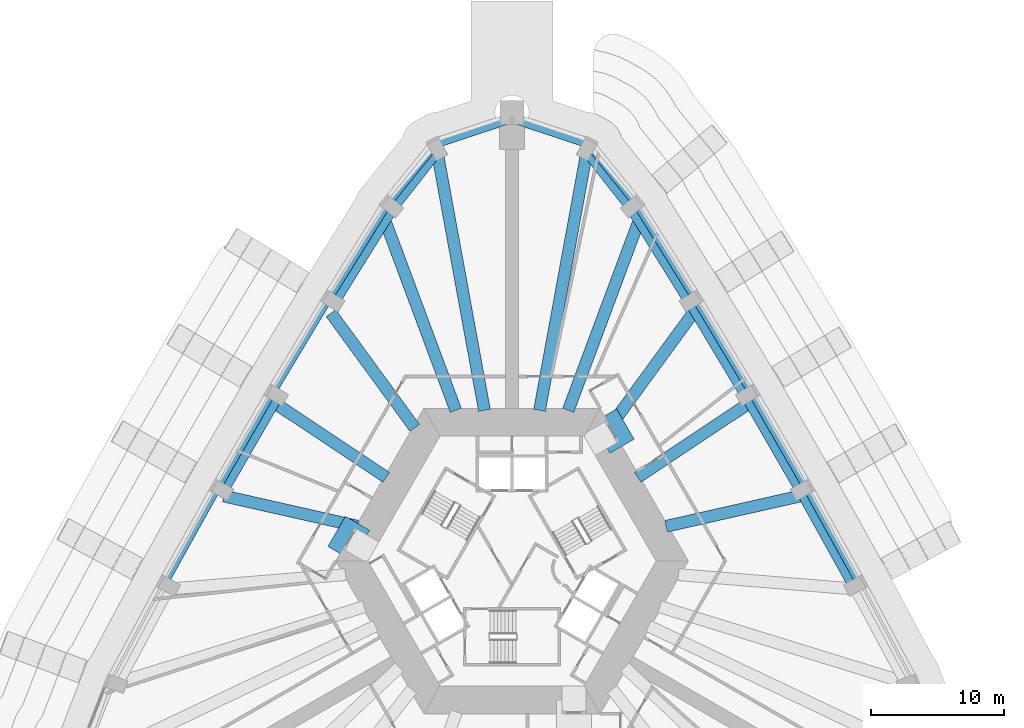
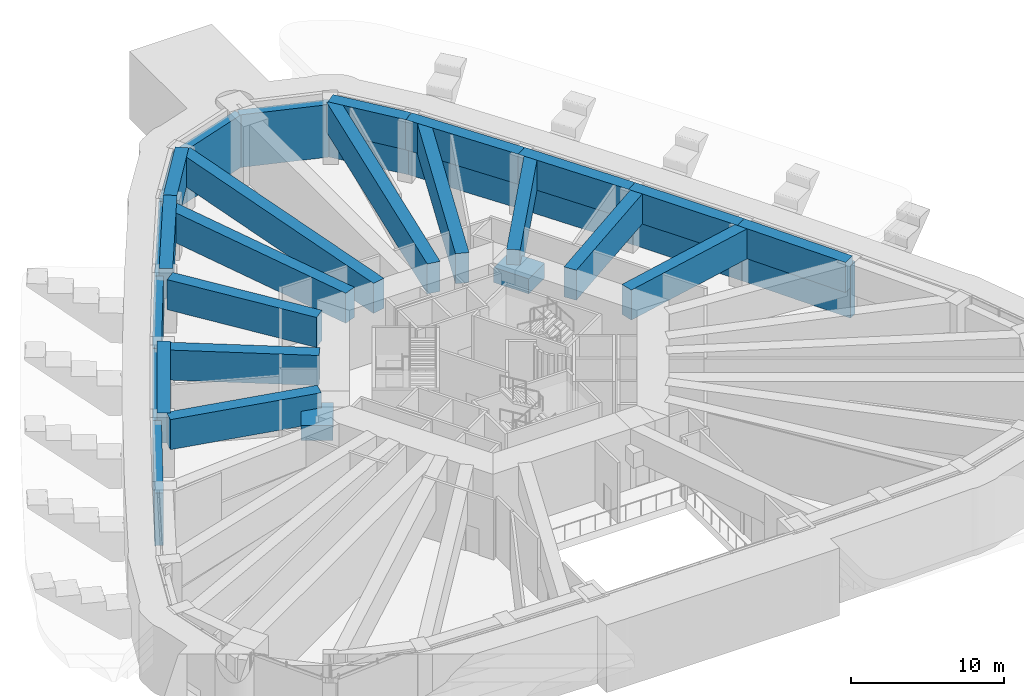
# One storey, part 5 of 21: 20 beams, 12 members.
"""IFC4 building model written with IfcOpenShell, lengths in metres."""

import ifcopenshell
import ifcopenshell.guid

model = None  # the IFC model being written
_history = None  # IfcOwnerHistory: only IFC2X3 demands one
_inside = {}  # id of a spatial element -> (the spatial element, [elements in it])
_under = {}  # id of a project, library or spatial element -> (it, [spatial elements below it])
_declared = {}  # id of a project -> (the project, [libraries it declares])
_typed = {}  # id of a type object -> (the type object, [elements of that type])
_made_of = {}  # id of a material, layer set ... -> (it, [elements and type objects made of it])


def new_model(schema):
    """Start an empty IFC model of exactly this schema.

    Asked for "IFC4X3", IfcOpenShell would pick the latest addendum, in which some entities
    have other attributes; the version numbers below select the first issue.
    IFC2X3 requires an IfcOwnerHistory on every rooted entity: one is made here for all.
    """
    global model, _history
    if schema == "IFC4X3":
        model = ifcopenshell.file(schema_version=(4, 3, 0, 0))
    else:
        model = ifcopenshell.file(schema=schema)
    _inside.clear()
    _under.clear()
    _declared.clear()
    _typed.clear()
    _made_of.clear()
    _history = None
    if model.schema == "IFC2X3":
        org = make("IfcOrganization", Name="unknown")
        user = make(
            "IfcPersonAndOrganization",
            ThePerson=make("IfcPerson", FamilyName="unknown"),
            TheOrganization=org,
        )
        app = make(
            "IfcApplication",
            ApplicationDeveloper=org,
            Version="unknown",
            ApplicationFullName="unknown",
            ApplicationIdentifier="unknown",
        )
        _history = make(
            "IfcOwnerHistory",
            OwningUser=user,
            OwningApplication=app,
            ChangeAction="ADDED",
            CreationDate=0,
        )
    return model


def make(cls, **values):
    """One entity of the class cls with the attributes given. An attribute that is None is left unset."""
    return model.create_entity(
        cls, **{name: value for name, value in values.items() if value is not None}
    )


def rooted(cls, **values):
    """An entity with a GlobalId (a new one), such as an element, a storey or a relation."""
    return make(cls, GlobalId=ifcopenshell.guid.new(), OwnerHistory=_history, **values)


def si_unit(unit_type, name, prefix=None):
    """IfcSIUnit, for example si_unit("LENGTHUNIT", "METRE", prefix="MILLI")."""
    return make("IfcSIUnit", UnitType=unit_type, Prefix=prefix, Name=name)


def assignment(units):
    """IfcUnitAssignment: the units of a project."""
    return None if units is None else make("IfcUnitAssignment", Units=units)


def point(xyz):
    """IfcCartesianPoint."""
    return None if xyz is None else make("IfcCartesianPoint", Coordinates=xyz)


def direction(xyz):
    """IfcDirection."""
    return None if xyz is None else make("IfcDirection", DirectionRatios=xyz)


def frame(location, z_axis=None, x_axis=None):
    """IfcAxis2Placement3D, a coordinate frame: its origin and axes. An axis left out is left unset."""
    return make(
        "IfcAxis2Placement3D",
        Location=point(location),
        Axis=direction(z_axis),
        RefDirection=direction(x_axis),
    )


def frame_2d(location, x_axis=None):
    """IfcAxis2Placement2D, a coordinate frame in the plane: its origin and x axis."""
    return make(
        "IfcAxis2Placement2D", Location=point(location), RefDirection=direction(x_axis)
    )


def origin():
    """The frame at (0, 0, 0) with its axes left unset."""
    return frame((0.0, 0.0, 0.0))


def origin_2d():
    """The frame at (0, 0) in the plane with its x axis left unset."""
    return frame_2d((0.0, 0.0))


def place(relative_to, where):
    """IfcLocalPlacement: puts the frame where relative to a parent placement (None: the world)."""
    return make(
        "IfcLocalPlacement", PlacementRelTo=relative_to, RelativePlacement=where
    )


def context(
    kind, dimensions, precision=None, world=None, true_north=None, identifier=None
):
    """IfcGeometricRepresentationContext, for example the 3D "Model" context."""
    return make(
        "IfcGeometricRepresentationContext",
        ContextIdentifier=identifier,
        ContextType=kind,
        CoordinateSpaceDimension=dimensions,
        Precision=precision,
        WorldCoordinateSystem=world,
        TrueNorth=true_north,
    )


def subcontext(parent, identifier, kind, view, scale=None):
    """IfcGeometricRepresentationSubContext, for example "Body" below "Model"."""
    return make(
        "IfcGeometricRepresentationSubContext",
        ContextIdentifier=identifier,
        ContextType=kind,
        ParentContext=parent,
        TargetScale=scale,
        TargetView=view,
    )


def project(units=None, contexts=None):
    """IfcProject with its units and contexts."""
    return rooted(
        "IfcProject",
        Name="project",
        RepresentationContexts=contexts,
        UnitsInContext=assignment(units),
    )


def spatial(cls, under=None, at=None, **own):
    """A site, building, storey or space (cls), placed at a placement, below another one or the project."""
    s = rooted(cls, ObjectPlacement=at, **own)
    if under is not None:
        _under.setdefault(under.id(), (under, []))[1].append(s)
    return s


def profile(cls, at=None, kind="AREA", **sizes):
    """A parametric profile (cls). Its sizes go by their IFC names, for example OverallWidth=200.0."""
    return make(cls, ProfileType=kind, Position=at, **sizes)


def rectangle(**sizes):
    """IfcRectangleProfileDef."""
    return profile("IfcRectangleProfileDef", **sizes)


def extrude(swept, where, along, depth):
    """IfcExtrudedAreaSolid: the profile swept, set in the frame where, extruded along a direction by depth."""
    return make(
        "IfcExtrudedAreaSolid",
        SweptArea=swept,
        Position=where,
        ExtrudedDirection=direction(along),
        Depth=depth,
    )


def shape(context_of_items, identifier, shape_type, items):
    """IfcShapeRepresentation: the items that make up one representation, for example the "Body"."""
    return make(
        "IfcShapeRepresentation",
        ContextOfItems=context_of_items,
        RepresentationIdentifier=identifier,
        RepresentationType=shape_type,
        Items=items,
    )


def material(Name=None, Category=None):
    """IfcMaterial."""
    return make("IfcMaterial", Name=Name, Category=Category)


def material_profile(
    of_material, cross_section, Name=None, Category=None, Priority=None
):
    """IfcMaterialProfile: a cross section and its material."""
    return make(
        "IfcMaterialProfile",
        Name=Name,
        Material=of_material,
        Profile=cross_section,
        Priority=Priority,
        Category=Category,
    )


def profile_set(profiles, Name=None, composite=None):
    """IfcMaterialProfileSet."""
    return make(
        "IfcMaterialProfileSet",
        Name=Name,
        MaterialProfiles=profiles,
        CompositeProfile=composite,
    )


def made_of(thing, what):
    """Note that an element or type object is made of a material, layer set ...; save() writes the relation."""
    if what is not None:
        _made_of.setdefault(what.id(), (what, []))[1].append(thing)
    return thing


def type_object(cls, material=None, **own):
    """A type object (cls), such as IfcWallType, which elements share."""
    return made_of(rooted(cls, **own), material)


def element(
    cls,
    number,
    at=None,
    inside=None,
    cuts=None,
    type_object=None,
    material=None,
    context=None,
    identifier="Body",
    shape_type=None,
    held_by="IfcProductDefinitionShape",
    body=None,
    shapes=None,
    **own,
):
    """One element of the class cls, such as IfcWall. Its Tag is "e" and its number.

    at: its placement. inside: the storey or other place that contains it. cuts: it is an
    opening in that element (IfcRelVoidsElement). A single representation is given by context,
    identifier, shape_type and body (its items); several are given by shapes. held_by: the class
    of the entity that holds the representations. save() writes the other relations.
    """
    e = rooted(cls, Tag="e%d" % number, ObjectPlacement=at, **own)
    if body is not None:
        shapes = [shape(context, identifier, shape_type, body)]
    if shapes is not None:
        e.Representation = make(held_by, Representations=shapes)
    if inside is not None:
        _inside.setdefault(inside.id(), (inside, []))[1].append(e)
    if cuts is not None:
        rooted(
            "IfcRelVoidsElement", RelatingBuildingElement=cuts, RelatedOpeningElement=e
        )
    if type_object is not None:
        _typed.setdefault(type_object.id(), (type_object, []))[1].append(e)
    return made_of(e, material)


def aggregate(whole, parts):
    """IfcRelAggregates: a whole, such as a stair, and the parts it consists of."""
    return rooted("IfcRelAggregates", RelatingObject=whole, RelatedObjects=parts)


def save(model, path):
    """Write the relations noted so far, then the file.

    IfcRelAggregates (storeys below a building ...), IfcRelContainedInSpatialStructure (elements
    in a storey), IfcRelDefinesByType, IfcRelAssociatesMaterial and IfcRelDeclares: one each for
    every whole, place, type object, material and project.
    """
    for whole, parts in _under.values():
        aggregate(whole, parts)
    for where, things in _inside.values():
        rooted(
            "IfcRelContainedInSpatialStructure",
            RelatedElements=things,
            RelatingStructure=where,
        )
    for kind, things in _typed.values():
        rooted("IfcRelDefinesByType", RelatedObjects=things, RelatingType=kind)
    for what, things in _made_of.values():
        rooted("IfcRelAssociatesMaterial", RelatedObjects=things, RelatingMaterial=what)
    for by, libraries in _declared.values():
        rooted("IfcRelDeclares", RelatingContext=by, RelatedDefinitions=libraries)
    model.write(path)


model = new_model("IFC4")

# Units and contexts
model_context = context("Model", 3, precision=1e-05, world=origin(), true_north=direction((0.0, 1.0)))
body_context = subcontext(model_context, "Body", "Model", "MODEL_VIEW")
ifc_project = project(units=[si_unit("LENGTHUNIT", "METRE"), si_unit("AREAUNIT", "SQUARE_METRE"), si_unit("VOLUMEUNIT", "CUBIC_METRE"), si_unit("PLANEANGLEUNIT", "RADIAN"), si_unit("MASSUNIT", "GRAM", prefix="KILO")], contexts=[model_context])

# Site, building, storey
site_placement = place(None, origin())
site = spatial("IfcSite", under=ifc_project, at=site_placement, CompositionType="ELEMENT")
building_placement = place(site_placement, origin())
building = spatial("IfcBuilding", under=site, at=building_placement, Name="Entoto Arch Interchange Tower", CompositionType="ELEMENT")
storey_placement = place(building_placement, frame((0.0, 0.0, 236.0)))
storey = spatial("IfcBuildingStorey", under=building, at=storey_placement, Name="L53", CompositionType="ELEMENT", Elevation=236.0)

# Members
ifc_material = material(Name="Concrete C50/60", Category="concrete")
ifc_material_profile_1 = material_profile(ifc_material, rectangle(XDim=0.60009765625, YDim=4.199951171875, at=origin_2d()))
ifc_profile_set_1 = profile_set([ifc_material_profile_1], Name="Concrete C50/60")
member_type = type_object("IfcMemberType", Name="Belt member RC 600x4200 C50/60", PredefinedType="USERDEFINED", material=ifc_profile_set_1)
member_1_placement = place(storey_placement, frame((26.197998046875, 0.822021484375, 2.10009765625), z_axis=(-0.485401972229, 0.874291098752, 0.0), x_axis=(-0.874291098752, -0.485401972229, 0.0)))
element("IfcMember", 1, at=member_1_placement, inside=storey, type_object=member_type, Name="Belt beam 11 L53", ObjectType="BELT BEAM", PredefinedType="USERDEFINED", context=body_context, shape_type="SweptSolid", body=[
    extrude(rectangle(XDim=0.60009765625, YDim=4.199951171875, at=origin_2d()), origin(), (0.0, 0.0, 1.0), 8.25927734375),
])
member_2_placement = place(storey_placement, frame((22.18896484375, 8.04296875, 2.10009765625), z_axis=(-0.500055955149, 0.865993095654, 0.0), x_axis=(-0.865993095654, -0.500055955149, 0.0)))
element("IfcMember", 2, at=member_2_placement, inside=storey, type_object=member_type, Name="Belt beam 12 L53", ObjectType="BELT BEAM", PredefinedType="USERDEFINED", context=body_context, shape_type="SweptSolid", body=[
    extrude(rectangle(XDim=0.60009765625, YDim=4.199951171875, at=origin_2d()), origin(), (0.0, 0.0, 1.0), 8.2587890625),
])
member_3_placement = place(storey_placement, frame((18.05908203125, 15.195068359375, 2.10009765625), z_axis=(-0.514339254186, 0.857586807037, 0.0), x_axis=(-0.857586807037, -0.514339254186, 0.0)))
element("IfcMember", 3, at=member_3_placement, inside=storey, type_object=member_type, Name="Belt beam 13 L53", ObjectType="BELT BEAM", PredefinedType="USERDEFINED", context=body_context, shape_type="SweptSolid", body=[
    extrude(rectangle(XDim=0.60009765625, YDim=4.199951171875, at=origin_2d()), origin(), (0.0, 0.0, 1.0), 8.25927734375),
])
member_4_placement = place(storey_placement, frame((13.81103515625, 22.278076171875, 2.10009765625), z_axis=(-0.528927518543, 0.848667001908, 0.0), x_axis=(-0.848667001908, -0.528927518543, 0.0)))
element("IfcMember", 4, at=member_4_placement, inside=storey, type_object=member_type, Name="Belt beam 14 L53", ObjectType="BELT BEAM", PredefinedType="USERDEFINED", context=body_context, shape_type="SweptSolid", body=[
    extrude(rectangle(XDim=0.60009765625, YDim=4.199951171875, at=origin_2d()), origin(), (0.0, 0.0, 1.0), 8.462646484375),
])
member_5_placement = place(storey_placement, frame((9.3349609375, 29.4599609375, 2.10009765625), z_axis=(-0.62711174384, 0.778929304069, 0.0), x_axis=(-0.778929304069, -0.62711174384, 0.0)))
element("IfcMember", 5, at=member_5_placement, inside=storey, type_object=member_type, Name="Belt beam 15 L53", ObjectType="BELT BEAM", PredefinedType="USERDEFINED", context=body_context, shape_type="SweptSolid", body=[
    extrude(rectangle(XDim=0.60009765625, YDim=4.199951171875, at=origin_2d()), origin(), (0.0, 0.0, 1.0), 5.684814453125),
])
for number, where, z_axis, x_axis, name in (
    (6, (5.77001953125, 33.887939453125, 2.10009765625), (-0.948550769317, 0.316625074856, 0.0), (-0.316625074856, -0.948550769317, 0.0), "Belt beam 16 L53"),
    (7, (0.0, 35.81396484375, 2.10009765625), (-0.948550769317, -0.316625074856, 0.0), (0.316625074856, -0.948550769317, 0.0), "Belt beam 17 L53"),
):
    element("IfcMember", number, at=place(storey_placement, frame(where, z_axis=z_axis, x_axis=x_axis)), inside=storey, type_object=member_type, Name=name, ObjectType="BELT BEAM", PredefinedType="USERDEFINED", context=body_context, shape_type="SweptSolid", body=[
        extrude(rectangle(XDim=0.60009765625, YDim=4.199951171875, at=origin_2d()), origin(), (0.0, 0.0, 1.0), 6.0830078125),
    ])
member_6_placement = place(storey_placement, frame((-5.77001953125, 33.887939453125, 2.10009765625), z_axis=(-0.62711174384, -0.778929304069, 0.0), x_axis=(0.778929304069, -0.62711174384, 0.0)))
element("IfcMember", 8, at=member_6_placement, inside=storey, type_object=member_type, Name="Belt beam 18 L53", ObjectType="BELT BEAM", PredefinedType="USERDEFINED", context=body_context, shape_type="SweptSolid", body=[
    extrude(rectangle(XDim=0.60009765625, YDim=4.199951171875, at=origin_2d()), origin(), (0.0, 0.0, 1.0), 5.684814453125),
])
member_7_placement = place(storey_placement, frame((-9.3349609375, 29.4599609375, 2.10009765625), z_axis=(-0.528927518543, -0.848667001908, 0.0), x_axis=(0.848667001908, -0.528927518543, 0.0)))
element("IfcMember", 9, at=member_7_placement, inside=storey, type_object=member_type, Name="Belt beam 19 L53", ObjectType="BELT BEAM", PredefinedType="USERDEFINED", context=body_context, shape_type="SweptSolid", body=[
    extrude(rectangle(XDim=0.60009765625, YDim=4.199951171875, at=origin_2d()), origin(), (0.0, 0.0, 1.0), 8.462646484375),
])
member_8_placement = place(storey_placement, frame((-13.81103515625, 22.278076171875, 2.10009765625), z_axis=(-0.514339254186, -0.857586807037, 0.0), x_axis=(0.857586807037, -0.514339254186, 0.0)))
element("IfcMember", 10, at=member_8_placement, inside=storey, type_object=member_type, Name="Belt beam 20 L53", ObjectType="BELT BEAM", PredefinedType="USERDEFINED", context=body_context, shape_type="SweptSolid", body=[
    extrude(rectangle(XDim=0.60009765625, YDim=4.199951171875, at=origin_2d()), origin(), (0.0, 0.0, 1.0), 8.25927734375),
])
member_9_placement = place(storey_placement, frame((-18.05908203125, 15.195068359375, 2.10009765625), z_axis=(-0.500055955149, -0.865993095654, 0.0), x_axis=(0.865993095654, -0.500055955149, 0.0)))
element("IfcMember", 11, at=member_9_placement, inside=storey, type_object=member_type, Name="Belt beam 21 L53", ObjectType="BELT BEAM", PredefinedType="USERDEFINED", context=body_context, shape_type="SweptSolid", body=[
    extrude(rectangle(XDim=0.60009765625, YDim=4.199951171875, at=origin_2d()), origin(), (0.0, 0.0, 1.0), 8.2587890625),
])
member_10_placement = place(storey_placement, frame((-22.18896484375, 8.04296875, 2.10009765625), z_axis=(-0.485401972229, -0.874291098752, 0.0), x_axis=(0.874291098752, -0.485401972229, 0.0)))
element("IfcMember", 12, at=member_10_placement, inside=storey, type_object=member_type, Name="Belt beam 22 L53", ObjectType="BELT BEAM", PredefinedType="USERDEFINED", context=body_context, shape_type="SweptSolid", body=[
    extrude(rectangle(XDim=0.60009765625, YDim=4.199951171875, at=origin_2d()), origin(), (0.0, 0.0, 1.0), 8.25927734375),
])

# Beams
ifc_material_profile_2 = material_profile(ifc_material, rectangle(XDim=2.10009765625, YDim=1.199951171875, at=origin_2d()))
ifc_profile_set_2 = profile_set([ifc_material_profile_2], Name="Concrete C50/60")
beam_type_1 = type_object("IfcBeamType", Name="Coupling beam RC 2100x1200 C50/60", PredefinedType="BEAM", material=ifc_profile_set_2)
beam_1_placement = place(storey_placement, frame((8.283935546875, 11.15087890625, 3.0), z_axis=(-0.499634047108, 0.866236583717, 0.0), x_axis=(-0.866236583717, -0.499634047108, 0.0)))
element("IfcBeam", 13, at=beam_1_placement, inside=storey, type_object=beam_type_1, Name="Coupling beam NE L53", PredefinedType="BEAM", context=body_context, shape_type="SweptSolid", body=[
    extrude(rectangle(XDim=2.10009765625, YDim=1.199951171875, at=origin_2d()), origin(), (0.0, 0.0, 1.0), 2.6298828125),
])
beam_2_placement = place(storey_placement, frame((-11.634033203125, 5.34912109375, 3.0), z_axis=(-0.500191014278, -0.865915093549, 0.0), x_axis=(0.865915093549, -0.500191014278, 0.0)))
element("IfcBeam", 14, at=beam_2_placement, inside=storey, type_object=beam_type_1, Name="Coupling beam NW L53", PredefinedType="BEAM", context=body_context, shape_type="SweptSolid", body=[
    extrude(rectangle(XDim=2.10009765625, YDim=1.199951171875, at=origin_2d()), origin(), (0.0, 0.0, 1.0), 2.630859375),
])
ifc_material_profile_3 = material_profile(ifc_material, rectangle(XDim=0.89990234375, YDim=2.39990234375, at=origin_2d()))
ifc_profile_set_3 = profile_set([ifc_material_profile_3], Name="Concrete C50/60")
beam_type_2 = type_object("IfcBeamType", Name="Transfer beam RC 900x2400 C50/60", PredefinedType="BEAM", material=ifc_profile_set_3)
beam_3_placement = place(storey_placement, frame((11.60107421875, 5.118896484375, 3.60009765625), z_axis=(0.975434789393, 0.220288382902, 0.0), x_axis=(-0.220288382902, 0.975434789393, 0.0)))
element("IfcBeam", 15, at=beam_3_placement, inside=storey, type_object=beam_type_2, Name="Transfer beam NE03 L53", PredefinedType="BEAM", context=body_context, shape_type="SweptSolid", body=[
    extrude(rectangle(XDim=0.89990234375, YDim=2.39990234375, at=origin_2d()), origin(), (0.0, 0.0, 1.0), 10.35009765625),
])
beam_4_placement = place(storey_placement, frame((25.797119140625, 0.60791015625, 3.60009765625), z_axis=(-0.485492161265, 0.874241020172, 0.0), x_axis=(-0.874241020172, -0.485492161265, 0.0)))
element("IfcBeam", 16, at=beam_4_placement, inside=storey, type_object=beam_type_2, Name="Transfer girder NE03 L53", PredefinedType="BEAM", context=body_context, shape_type="SweptSolid", body=[
    extrude(rectangle(XDim=0.89990234375, YDim=2.39990234375, at=origin_2d()), origin(), (0.0, 0.0, 1.0), 8.24951171875),
])
beam_5_placement = place(storey_placement, frame((9.466064453125, 8.804931640625, 3.60009765625), z_axis=(0.832342216283, 0.554262063462, 0.0), x_axis=(-0.554262063462, 0.832342216283, 0.0)))
element("IfcBeam", 17, at=beam_5_placement, inside=storey, type_object=beam_type_2, Name="Transfer beam NE04 L53", PredefinedType="BEAM", context=body_context, shape_type="SweptSolid", body=[
    extrude(rectangle(XDim=0.89990234375, YDim=2.39990234375, at=origin_2d()), origin(), (0.0, 0.0, 1.0), 9.9033203125),
])
beam_6_placement = place(storey_placement, frame((21.7919921875, 7.820068359375, 3.60009765625), z_axis=(-0.50001028258, 0.866019467053, 0.0), x_axis=(-0.866019467053, -0.50001028258, 0.0)))
element("IfcBeam", 18, at=beam_6_placement, inside=storey, type_object=beam_type_2, Name="Transfer girder NE04 L53", PredefinedType="BEAM", context=body_context, shape_type="SweptSolid", body=[
    extrude(rectangle(XDim=0.89990234375, YDim=2.39990234375, at=origin_2d()), origin(), (0.0, 0.0, 1.0), 8.247802734375),
])
beam_7_placement = place(storey_placement, frame((7.326904296875, 12.534912109375, 3.60009765625), z_axis=(0.589701990236, 0.807620927609, 0.0), x_axis=(-0.807620927609, 0.589701990236, 0.0)))
element("IfcBeam", 19, at=beam_7_placement, inside=storey, type_object=beam_type_2, Name="Transfer beam NE05 L53", PredefinedType="BEAM", context=body_context, shape_type="SweptSolid", body=[
    extrude(rectangle(XDim=0.89990234375, YDim=2.39990234375, at=origin_2d()), origin(), (0.0, 0.0, 1.0), 10.683349609375),
])
beam_8_placement = place(storey_placement, frame((17.66796875, 14.962890625, 3.60009765625), z_axis=(-0.51435211966, 0.857579090814, 0.0), x_axis=(-0.857579090814, -0.51435211966, 0.0)))
element("IfcBeam", 20, at=beam_8_placement, inside=storey, type_object=beam_type_2, Name="Transfer girder NE05 L53", PredefinedType="BEAM", context=body_context, shape_type="SweptSolid", body=[
    extrude(rectangle(XDim=0.89990234375, YDim=2.39990234375, at=origin_2d()), origin(), (0.0, 0.0, 1.0), 8.2490234375),
])
beam_9_placement = place(storey_placement, frame((4.237060546875, 13.85888671875, 3.60009765625), z_axis=(0.349431572479, 0.936961886181, 0.0), x_axis=(-0.936961886181, 0.349431572479, 0.0)))
element("IfcBeam", 21, at=beam_9_placement, inside=storey, type_object=beam_type_2, Name="Transfer beam NE06 L53", PredefinedType="BEAM", context=body_context, shape_type="SweptSolid", body=[
    extrude(rectangle(XDim=0.89990234375, YDim=2.39990234375, at=origin_2d()), origin(), (0.0, 0.0, 1.0), 15.012451171875),
])
beam_10_placement = place(storey_placement, frame((13.425048828125, 22.037109375, 3.60009765625), z_axis=(-0.528188313719, 0.849127260928, 0.0), x_axis=(-0.849127260928, -0.528188313719, 0.0)))
element("IfcBeam", 22, at=beam_10_placement, inside=storey, type_object=beam_type_2, Name="Transfer girder NE06 L53", PredefinedType="BEAM", context=body_context, shape_type="SweptSolid", body=[
    extrude(rectangle(XDim=0.89990234375, YDim=2.39990234375, at=origin_2d()), origin(), (0.0, 0.0, 1.0), 8.36865234375),
])
beam_11_placement = place(storey_placement, frame((2.074951171875, 13.85205078125, 3.60009765625), z_axis=(0.179782456613, 0.983706393338, 0.0), x_axis=(-0.983706393338, 0.179782456613, 0.0)))
element("IfcBeam", 23, at=beam_11_placement, inside=storey, type_object=beam_type_2, Name="Transfer beam N1 L53", PredefinedType="BEAM", context=body_context, shape_type="SweptSolid", body=[
    extrude(rectangle(XDim=0.89990234375, YDim=2.39990234375, at=origin_2d()), origin(), (0.0, 0.0, 1.0), 19.590087890625),
])
beam_12_placement = place(storey_placement, frame((9.0048828125, 29.14306640625, 3.60009765625), z_axis=(-0.617156070559, 0.78684076189, 0.0), x_axis=(-0.78684076189, -0.617156070559, 0.0)))
element("IfcBeam", 24, at=beam_12_placement, inside=storey, type_object=beam_type_2, Name="Transfer girder N1 L53", PredefinedType="BEAM", context=body_context, shape_type="SweptSolid", body=[
    extrude(rectangle(XDim=0.89990234375, YDim=2.39990234375, at=origin_2d()), origin(), (0.0, 0.0, 1.0), 5.510498046875),
])
beam_13_placement = place(storey_placement, frame((-2.074951171875, 13.85205078125, 3.60009765625), z_axis=(-0.179782456613, 0.983706393338, 0.0), x_axis=(-0.983706393338, -0.179782456613, 0.0)))
element("IfcBeam", 25, at=beam_13_placement, inside=storey, type_object=beam_type_2, Name="Transfer beam N3 L53", PredefinedType="BEAM", context=body_context, shape_type="SweptSolid", body=[
    extrude(rectangle(XDim=0.89990234375, YDim=2.39990234375, at=origin_2d()), origin(), (0.0, 0.0, 1.0), 19.590087890625),
])
beam_14_placement = place(storey_placement, frame((-5.60400390625, 33.47900390625, 3.60009765625), z_axis=(-0.617156070559, -0.78684076189, 0.0), x_axis=(0.78684076189, -0.617156070559, 0.0)))
element("IfcBeam", 26, at=beam_14_placement, inside=storey, type_object=beam_type_2, Name="Transfer girder N3 L53", PredefinedType="BEAM", context=body_context, shape_type="SweptSolid", body=[
    extrude(rectangle(XDim=0.89990234375, YDim=2.39990234375, at=origin_2d()), origin(), (0.0, 0.0, 1.0), 5.510498046875),
])
beam_15_placement = place(storey_placement, frame((-4.237060546875, 13.85888671875, 3.60009765625), z_axis=(-0.349431572479, 0.936961886181, 0.0), x_axis=(-0.936961886181, -0.349431572479, 0.0)))
element("IfcBeam", 27, at=beam_15_placement, inside=storey, type_object=beam_type_2, Name="Transfer beam NW01 L53", PredefinedType="BEAM", context=body_context, shape_type="SweptSolid", body=[
    extrude(rectangle(XDim=0.89990234375, YDim=2.39990234375, at=origin_2d()), origin(), (0.0, 0.0, 1.0), 15.012451171875),
])
beam_16_placement = place(storey_placement, frame((-9.0048828125, 29.14306640625, 3.60009765625), z_axis=(-0.528188313719, -0.849127260928, 0.0), x_axis=(0.849127260928, -0.528188313719, 0.0)))
element("IfcBeam", 28, at=beam_16_placement, inside=storey, type_object=beam_type_2, Name="Transfer girder NW01 L53", PredefinedType="BEAM", context=body_context, shape_type="SweptSolid", body=[
    extrude(rectangle(XDim=0.89990234375, YDim=2.39990234375, at=origin_2d()), origin(), (0.0, 0.0, 1.0), 8.36865234375),
])
beam_17_placement = place(storey_placement, frame((-7.326904296875, 12.534912109375, 3.60009765625), z_axis=(-0.589701990236, 0.807620927609, 0.0), x_axis=(-0.807620927609, -0.589701990236, 0.0)))
element("IfcBeam", 29, at=beam_17_placement, inside=storey, type_object=beam_type_2, Name="Transfer beam NW02 L53", PredefinedType="BEAM", context=body_context, shape_type="SweptSolid", body=[
    extrude(rectangle(XDim=0.89990234375, YDim=2.39990234375, at=origin_2d()), origin(), (0.0, 0.0, 1.0), 10.683349609375),
])
beam_18_placement = place(storey_placement, frame((-9.466064453125, 8.804931640625, 3.60009765625), z_axis=(-0.832342216283, 0.554262063462, 0.0), x_axis=(-0.554262063462, -0.832342216283, 0.0)))
element("IfcBeam", 30, at=beam_18_placement, inside=storey, type_object=beam_type_2, Name="Transfer beam NW03 L53", PredefinedType="BEAM", context=body_context, shape_type="SweptSolid", body=[
    extrude(rectangle(XDim=0.89990234375, YDim=2.39990234375, at=origin_2d()), origin(), (0.0, 0.0, 1.0), 9.9033203125),
])
beam_19_placement = place(storey_placement, frame((-17.66796875, 14.962890625, 3.60009765625), z_axis=(-0.50001028258, -0.866019467053, 0.0), x_axis=(0.866019467053, -0.50001028258, 0.0)))
element("IfcBeam", 31, at=beam_19_placement, inside=storey, type_object=beam_type_2, Name="Transfer girder NW03 L53", PredefinedType="BEAM", context=body_context, shape_type="SweptSolid", body=[
    extrude(rectangle(XDim=0.89990234375, YDim=2.39990234375, at=origin_2d()), origin(), (0.0, 0.0, 1.0), 8.247802734375),
])
beam_20_placement = place(storey_placement, frame((-11.60107421875, 5.118896484375, 3.60009765625), z_axis=(-0.975434789393, 0.220288382902, 0.0), x_axis=(-0.220288382902, -0.975434789393, 0.0)))
element("IfcBeam", 32, at=beam_20_placement, inside=storey, type_object=beam_type_2, Name="Transfer beam NW04 L53", PredefinedType="BEAM", context=body_context, shape_type="SweptSolid", body=[
    extrude(rectangle(XDim=0.89990234375, YDim=2.39990234375, at=origin_2d()), origin(), (0.0, 0.0, 1.0), 10.35009765625),
])

save(model, "model.ifc")
